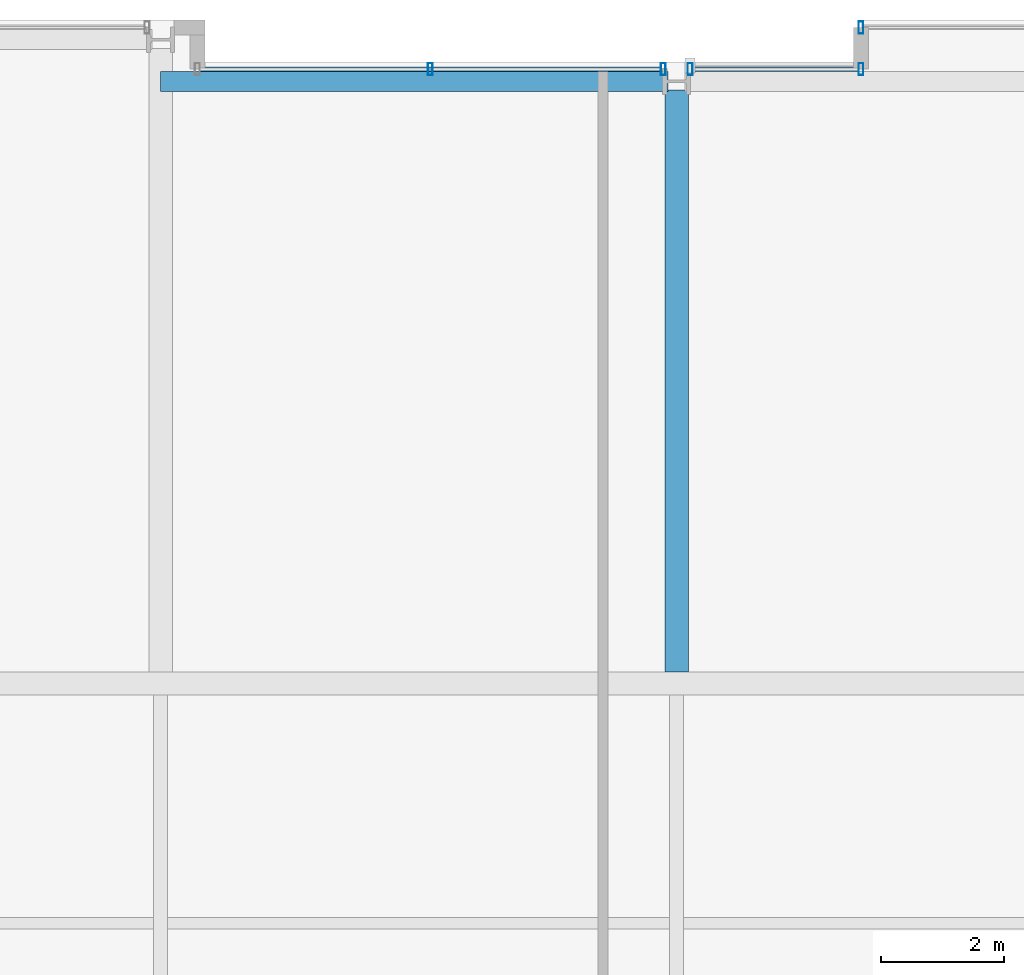
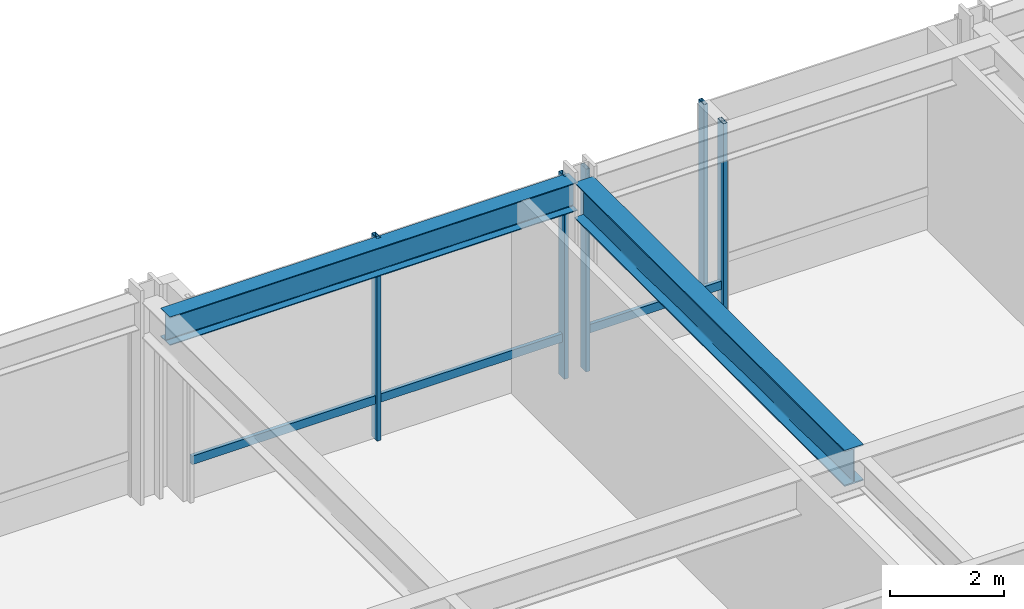
# One storey, part 22 of 33: 7 members, 2 beams, 3 elements without a shape of their own.
"""IFC4 building model written with IfcOpenShell, lengths in metres."""

from ifc_helpers import new_model, si_unit, direction, frame, origin, origin_2d, place, context, subcontext, project, spatial, hollow_rectangle, i_section, extrude, material, layer, layer_set, material_profile, profile_set, type_object, element, aggregate, save


model = new_model("IFC4")

# Units and contexts
model_context = context("Model", 3, precision=1e-05, world=origin(), true_north=direction((0.0, 1.0)))
body_context = subcontext(model_context, "Body", "Model", "MODEL_VIEW")
ifc_project = project(units=[si_unit("LENGTHUNIT", "METRE"), si_unit("AREAUNIT", "SQUARE_METRE"), si_unit("VOLUMEUNIT", "CUBIC_METRE"), si_unit("PLANEANGLEUNIT", "RADIAN"), si_unit("MASSUNIT", "GRAM", prefix="KILO")], contexts=[model_context])

# Site, building, storey
site_placement = place(None, origin())
site = spatial("IfcSite", under=ifc_project, at=site_placement, CompositionType="ELEMENT")
building_placement = place(site_placement, origin())
building = spatial("IfcBuilding", under=site, at=building_placement, Name="Drelvath Grand Hotel", CompositionType="ELEMENT")
storey_placement = place(building_placement, frame((0.0, 0.0, 87.199951171875)))
storey = spatial("IfcBuildingStorey", under=building, at=storey_placement, Name="L21", CompositionType="ELEMENT", Elevation=87.199951171875)

# Curtain wall, member
ifc_material_1 = material(Name="Champagne Bronze Anodised Aluminium Frame", Category="aluminium")
ifc_layer = layer(ifc_material_1, 0.199951171875)
ifc_layer_set = layer_set([ifc_layer], Name="Champagne Bronze Anodised Aluminium Frame")
curtain_wall_type = type_object("IfcCurtainWallType", Name="Stick Curtain Wall CW-03 Champagne Bronze Mid-Rise", PredefinedType="NOTDEFINED", material=ifc_layer_set)
curtain_wall_1_placement = place(storey_placement, origin())
curtain_wall_1 = element("IfcCurtainWall", 1, at=curtain_wall_1_placement, inside=storey, type_object=curtain_wall_type, Name="L21 CW-03 Curtain Wall CW03-L21-NM1", PredefinedType="NOTDEFINED")
ifc_material_profile_1 = material_profile(ifc_material_1, hollow_rectangle(XDim=0.074951171875, YDim=0.179931640625, WallThickness=0.0048828125, at=origin_2d()), Name="HSS180X75X5")
ifc_profile_set_1 = profile_set([ifc_material_profile_1], Name="Champagne Bronze Anodised Aluminium Frame")
member_type_1 = type_object("IfcMemberType", Name="Curtain Wall Horizontal Transom CW-03 HSS180X75X5", PredefinedType="USERDEFINED", material=ifc_profile_set_1)
member_1_placement = place(storey_placement, frame((-7.760009765625, 53.199951171875, 0.85009765625), z_axis=(1.0, 0.0, 0.0), x_axis=(0.0, 1.0, 0.0)))
member_1 = element("IfcMember", 2, at=member_1_placement, type_object=member_type_1, Name="CW03-L21-NM1 Sill Transom", ObjectType="TRANSOM", PredefinedType="USERDEFINED", context=body_context, shape_type="SweptSolid", body=[
    extrude(hollow_rectangle(XDim=0.074951171875, YDim=0.179931640625, WallThickness=0.0048828125, at=origin_2d()), origin(), (0.0, 0.0, 1.0), 7.50048828125),
])

curtain_wall_2_placement = place(storey_placement, origin())
curtain_wall_2 = element("IfcCurtainWall", 3, at=curtain_wall_2_placement, inside=storey, type_object=curtain_wall_type, Name="L21 CW-03 Curtain Wall CW03-L21-NM2", PredefinedType="NOTDEFINED")
member_2_placement = place(storey_placement, frame((0.259521484375, 53.199951171875, 0.85009765625), z_axis=(1.0, 0.0, 0.0), x_axis=(0.0, 1.0, 0.0)))
member_2 = element("IfcMember", 4, at=member_2_placement, type_object=member_type_1, Name="CW03-L21-NM2 Sill Transom", ObjectType="TRANSOM", PredefinedType="USERDEFINED", context=body_context, shape_type="SweptSolid", body=[
    extrude(hollow_rectangle(XDim=0.074951171875, YDim=0.179931640625, WallThickness=0.0048828125, at=origin_2d()), origin(), (0.0, 0.0, 1.0), 2.700439453125),
])

# Member
ifc_material_profile_2 = material_profile(ifc_material_1, hollow_rectangle(XDim=0.080078125, YDim=0.199951171875, WallThickness=0.0048828125, at=origin_2d()), Name="HSS200X80X5")
ifc_profile_set_2 = profile_set([ifc_material_profile_2], Name="Champagne Bronze Anodised Aluminium Frame")
member_type_2 = type_object("IfcMemberType", Name="Curtain Wall Vertical Mullion CW-03 HSS200X80X5", PredefinedType="MULLION", material=ifc_profile_set_2)
member_3_placement = place(storey_placement, frame((-4.009765625, 53.199951171875, 0.0), z_axis=(0.0, 0.0, 1.0), x_axis=(1.0, 0.0, 0.0)))
member_3 = element("IfcMember", 5, at=member_3_placement, type_object=member_type_2, Name="CW03-L21-NM1 Mullion 2", PredefinedType="MULLION", context=body_context, shape_type="SweptSolid", body=[
    extrude(hollow_rectangle(XDim=0.080078125, YDim=0.199951171875, WallThickness=0.0048828125, at=origin_2d()), origin(), (0.0, 0.0, 1.0), 4.340087890625),
])

member_4_placement = place(storey_placement, frame((-0.219482421875, 53.199951171875, 0.0), z_axis=(0.0, 0.0, 1.0), x_axis=(1.0, 0.0, 0.0)))
member_4 = element("IfcMember", 6, at=member_4_placement, type_object=member_type_2, Name="CW03-L21-NM1 Mullion 3", PredefinedType="MULLION", context=body_context, shape_type="SweptSolid", body=[
    extrude(hollow_rectangle(XDim=0.080078125, YDim=0.199951171875, WallThickness=0.0048828125, at=origin_2d()), origin(), (0.0, 0.0, 1.0), 4.340087890625),
])

aggregate(curtain_wall_1, [member_3, member_4, member_1])

member_5_placement = place(storey_placement, frame((0.219482421875, 53.199951171875, 0.0), z_axis=(0.0, 0.0, 1.0), x_axis=(1.0, 0.0, 0.0)))
member_5 = element("IfcMember", 7, at=member_5_placement, type_object=member_type_2, Name="CW03-L21-NM2 Mullion 1", PredefinedType="MULLION", context=body_context, shape_type="SweptSolid", body=[
    extrude(hollow_rectangle(XDim=0.080078125, YDim=0.199951171875, WallThickness=0.0048828125, at=origin_2d()), origin(), (0.0, 0.0, 1.0), 4.340087890625),
])

member_6_placement = place(storey_placement, frame((3.0, 53.199951171875, 0.0), z_axis=(0.0, 0.0, 1.0), x_axis=(1.0, 0.0, 0.0)))
member_6 = element("IfcMember", 8, at=member_6_placement, type_object=member_type_2, Name="CW03-L21-NM2 Mullion 2", PredefinedType="MULLION", context=body_context, shape_type="SweptSolid", body=[
    extrude(hollow_rectangle(XDim=0.080078125, YDim=0.199951171875, WallThickness=0.0048828125, at=origin_2d()), origin(), (0.0, 0.0, 1.0), 4.340087890625),
])

aggregate(curtain_wall_2, [member_5, member_6, member_2])

# Curtain wall, member
curtain_wall_3_placement = place(storey_placement, origin())
curtain_wall_3 = element("IfcCurtainWall", 9, at=curtain_wall_3_placement, inside=storey, type_object=curtain_wall_type, Name="L21 CW-03 Curtain Wall CW03-L21-NE1", PredefinedType="NOTDEFINED")
member_7_placement = place(storey_placement, frame((3.0, 53.8798828125, 0.0), z_axis=(0.0, 0.0, 1.0), x_axis=(1.0, 0.0, 0.0)))
member_7 = element("IfcMember", 10, at=member_7_placement, type_object=member_type_2, Name="CW03-L21-NE1 Mullion 1", PredefinedType="MULLION", context=body_context, shape_type="SweptSolid", body=[
    extrude(hollow_rectangle(XDim=0.080078125, YDim=0.199951171875, WallThickness=0.0048828125, at=origin_2d()), origin(), (0.0, 0.0, 1.0), 4.340087890625),
])
aggregate(curtain_wall_3, [member_7])

# Beams
ifc_material_2 = material(Name="Steel ASTM A992 Gr 50", Category="steel")
ifc_material_profile_3 = material_profile(ifc_material_2, i_section(OverallWidth=0.323974609375, OverallDepth=0.611083984375, WebThickness=0.0126953125, FlangeThickness=0.01904296875, FilletRadius=0.02197265625, at=origin_2d()), Name="W24X104")
ifc_profile_set_3 = profile_set([ifc_material_profile_3], Name="Steel ASTM A992 Gr 50")
beam_type_1 = type_object("IfcBeamType", Name="Perimeter Spandrel Beam W24X104", PredefinedType="SPANDREL", material=ifc_profile_set_3)
beam_1_placement = place(storey_placement, frame((-8.39990234375, 53.0, 4.03466796875), z_axis=(1.0, 0.0, 0.0), x_axis=(0.0, 1.0, 0.0)))
element("IfcBeam", 11, at=beam_1_placement, inside=storey, type_object=beam_type_1, Name="L21 Spandrel North Mid W", PredefinedType="SPANDREL", context=body_context, shape_type="SweptSolid", body=[
    extrude(i_section(OverallWidth=0.323974609375, OverallDepth=0.611083984375, WebThickness=0.0126953125, FlangeThickness=0.01904296875, FilletRadius=0.02197265625, at=origin_2d()), origin(), (0.0, 0.0, 1.0), 8.260009765625),
])
ifc_material_profile_4 = material_profile(ifc_material_2, i_section(OverallWidth=0.380615234375, OverallDepth=0.773193359375, WebThickness=0.0166015625, FlangeThickness=0.027099609375, FilletRadius=0.02490234375, at=origin_2d()), Name="W30X173")
ifc_profile_set_4 = profile_set([ifc_material_profile_4], Name="Steel ASTM A992 Gr 50")
beam_type_2 = type_object("IfcBeamType", Name="Primary Floor Girder W30X173", PredefinedType="BEAM", material=ifc_profile_set_4)
beam_2_placement = place(storey_placement, frame((0.0, 43.390380859375, 3.953369140625), z_axis=(0.0, 1.0, 0.0), x_axis=(-1.0, 0.0, 0.0)))
element("IfcBeam", 12, at=beam_2_placement, inside=storey, type_object=beam_type_2, Name="L21 North Wing Girder 5", PredefinedType="BEAM", context=body_context, shape_type="SweptSolid", body=[
    extrude(i_section(OverallWidth=0.380615234375, OverallDepth=0.773193359375, WebThickness=0.0166015625, FlangeThickness=0.027099609375, FilletRadius=0.02490234375, at=origin_2d()), origin(), (0.0, 0.0, 1.0), 9.4697265625),
])

save(model, "model.ifc")
